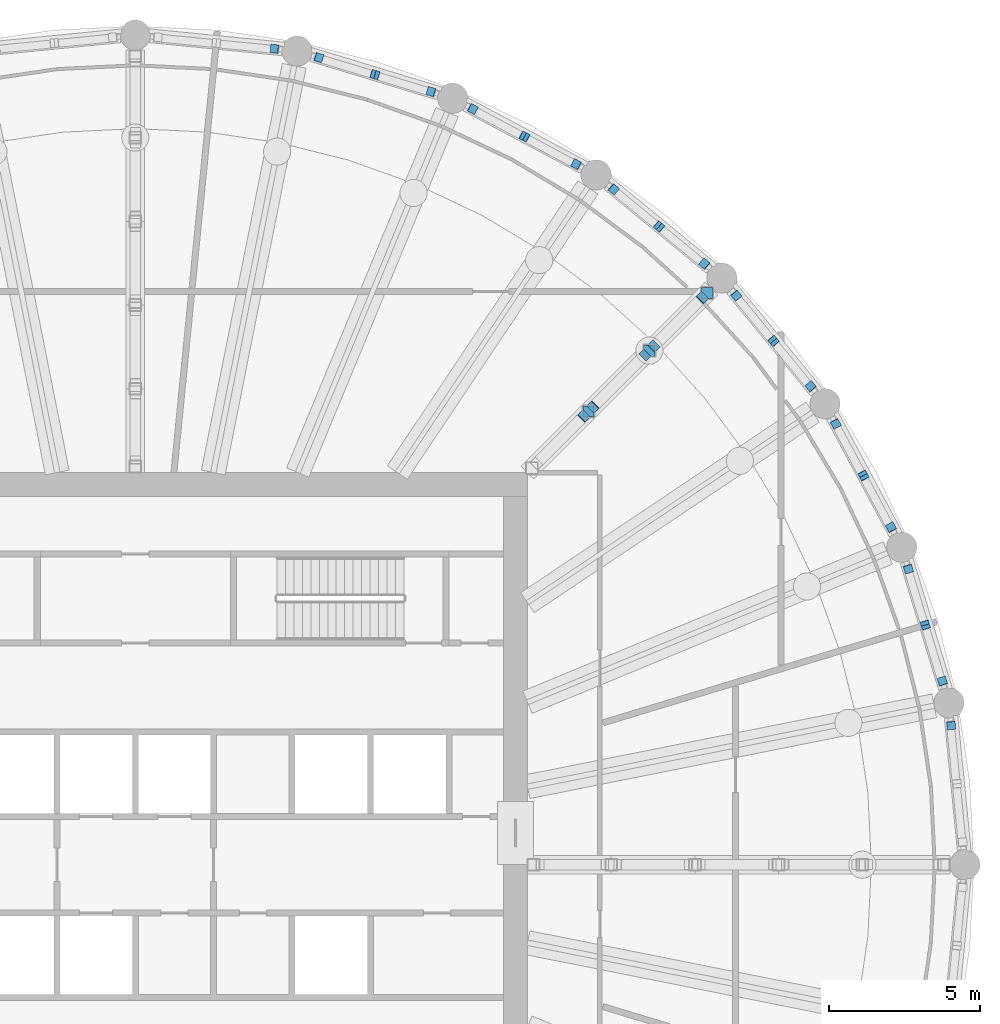
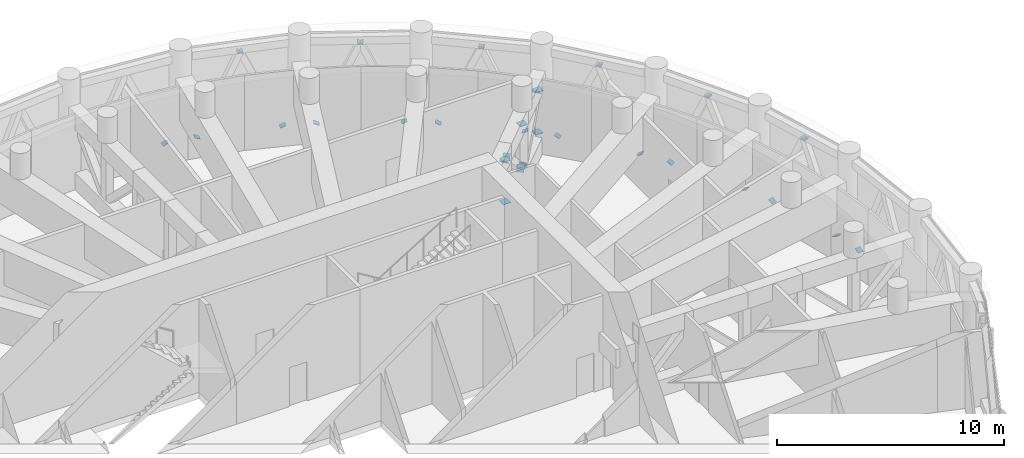
# One storey, part 16 of 24: 37 discrete accessories.
"""IFC4 building model written with IfcOpenShell, lengths in metres."""

import ifcopenshell
import ifcopenshell.guid

model = None  # the IFC model being written
_history = None  # IfcOwnerHistory: only IFC2X3 demands one
_inside = {}  # id of a spatial element -> (the spatial element, [elements in it])
_under = {}  # id of a project, library or spatial element -> (it, [spatial elements below it])
_declared = {}  # id of a project -> (the project, [libraries it declares])
_typed = {}  # id of a type object -> (the type object, [elements of that type])
_made_of = {}  # id of a material, layer set ... -> (it, [elements and type objects made of it])


def new_model(schema):
    """Start an empty IFC model of exactly this schema.

    Asked for "IFC4X3", IfcOpenShell would pick the latest addendum, in which some entities
    have other attributes; the version numbers below select the first issue.
    IFC2X3 requires an IfcOwnerHistory on every rooted entity: one is made here for all.
    """
    global model, _history
    if schema == "IFC4X3":
        model = ifcopenshell.file(schema_version=(4, 3, 0, 0))
    else:
        model = ifcopenshell.file(schema=schema)
    _inside.clear()
    _under.clear()
    _declared.clear()
    _typed.clear()
    _made_of.clear()
    _history = None
    if model.schema == "IFC2X3":
        org = make("IfcOrganization", Name="unknown")
        user = make(
            "IfcPersonAndOrganization",
            ThePerson=make("IfcPerson", FamilyName="unknown"),
            TheOrganization=org,
        )
        app = make(
            "IfcApplication",
            ApplicationDeveloper=org,
            Version="unknown",
            ApplicationFullName="unknown",
            ApplicationIdentifier="unknown",
        )
        _history = make(
            "IfcOwnerHistory",
            OwningUser=user,
            OwningApplication=app,
            ChangeAction="ADDED",
            CreationDate=0,
        )
    return model


def make(cls, **values):
    """One entity of the class cls with the attributes given. An attribute that is None is left unset."""
    return model.create_entity(
        cls, **{name: value for name, value in values.items() if value is not None}
    )


def rooted(cls, **values):
    """An entity with a GlobalId (a new one), such as an element, a storey or a relation."""
    return make(cls, GlobalId=ifcopenshell.guid.new(), OwnerHistory=_history, **values)


def si_unit(unit_type, name, prefix=None):
    """IfcSIUnit, for example si_unit("LENGTHUNIT", "METRE", prefix="MILLI")."""
    return make("IfcSIUnit", UnitType=unit_type, Prefix=prefix, Name=name)


def assignment(units):
    """IfcUnitAssignment: the units of a project."""
    return None if units is None else make("IfcUnitAssignment", Units=units)


def point(xyz):
    """IfcCartesianPoint."""
    return None if xyz is None else make("IfcCartesianPoint", Coordinates=xyz)


def direction(xyz):
    """IfcDirection."""
    return None if xyz is None else make("IfcDirection", DirectionRatios=xyz)


def frame(location, z_axis=None, x_axis=None):
    """IfcAxis2Placement3D, a coordinate frame: its origin and axes. An axis left out is left unset."""
    return make(
        "IfcAxis2Placement3D",
        Location=point(location),
        Axis=direction(z_axis),
        RefDirection=direction(x_axis),
    )


def frame_2d(location, x_axis=None):
    """IfcAxis2Placement2D, a coordinate frame in the plane: its origin and x axis."""
    return make(
        "IfcAxis2Placement2D", Location=point(location), RefDirection=direction(x_axis)
    )


def origin():
    """The frame at (0, 0, 0) with its axes left unset."""
    return frame((0.0, 0.0, 0.0))


def origin_2d():
    """The frame at (0, 0) in the plane with its x axis left unset."""
    return frame_2d((0.0, 0.0))


def place(relative_to, where):
    """IfcLocalPlacement: puts the frame where relative to a parent placement (None: the world)."""
    return make(
        "IfcLocalPlacement", PlacementRelTo=relative_to, RelativePlacement=where
    )


def context(
    kind, dimensions, precision=None, world=None, true_north=None, identifier=None
):
    """IfcGeometricRepresentationContext, for example the 3D "Model" context."""
    return make(
        "IfcGeometricRepresentationContext",
        ContextIdentifier=identifier,
        ContextType=kind,
        CoordinateSpaceDimension=dimensions,
        Precision=precision,
        WorldCoordinateSystem=world,
        TrueNorth=true_north,
    )


def subcontext(parent, identifier, kind, view, scale=None):
    """IfcGeometricRepresentationSubContext, for example "Body" below "Model"."""
    return make(
        "IfcGeometricRepresentationSubContext",
        ContextIdentifier=identifier,
        ContextType=kind,
        ParentContext=parent,
        TargetScale=scale,
        TargetView=view,
    )


def project(units=None, contexts=None):
    """IfcProject with its units and contexts."""
    return rooted(
        "IfcProject",
        Name="project",
        RepresentationContexts=contexts,
        UnitsInContext=assignment(units),
    )


def spatial(cls, under=None, at=None, **own):
    """A site, building, storey or space (cls), placed at a placement, below another one or the project."""
    s = rooted(cls, ObjectPlacement=at, **own)
    if under is not None:
        _under.setdefault(under.id(), (under, []))[1].append(s)
    return s


def profile(cls, at=None, kind="AREA", **sizes):
    """A parametric profile (cls). Its sizes go by their IFC names, for example OverallWidth=200.0."""
    return make(cls, ProfileType=kind, Position=at, **sizes)


def rectangle(**sizes):
    """IfcRectangleProfileDef."""
    return profile("IfcRectangleProfileDef", **sizes)


def extrude(swept, where, along, depth):
    """IfcExtrudedAreaSolid: the profile swept, set in the frame where, extruded along a direction by depth."""
    return make(
        "IfcExtrudedAreaSolid",
        SweptArea=swept,
        Position=where,
        ExtrudedDirection=direction(along),
        Depth=depth,
    )


def shape(context_of_items, identifier, shape_type, items):
    """IfcShapeRepresentation: the items that make up one representation, for example the "Body"."""
    return make(
        "IfcShapeRepresentation",
        ContextOfItems=context_of_items,
        RepresentationIdentifier=identifier,
        RepresentationType=shape_type,
        Items=items,
    )


def material(Name=None, Category=None):
    """IfcMaterial."""
    return make("IfcMaterial", Name=Name, Category=Category)


def material_profile(
    of_material, cross_section, Name=None, Category=None, Priority=None
):
    """IfcMaterialProfile: a cross section and its material."""
    return make(
        "IfcMaterialProfile",
        Name=Name,
        Material=of_material,
        Profile=cross_section,
        Priority=Priority,
        Category=Category,
    )


def profile_set(profiles, Name=None, composite=None):
    """IfcMaterialProfileSet."""
    return make(
        "IfcMaterialProfileSet",
        Name=Name,
        MaterialProfiles=profiles,
        CompositeProfile=composite,
    )


def made_of(thing, what):
    """Note that an element or type object is made of a material, layer set ...; save() writes the relation."""
    if what is not None:
        _made_of.setdefault(what.id(), (what, []))[1].append(thing)
    return thing


def type_object(cls, material=None, **own):
    """A type object (cls), such as IfcWallType, which elements share."""
    return made_of(rooted(cls, **own), material)


def element(
    cls,
    number,
    at=None,
    inside=None,
    cuts=None,
    type_object=None,
    material=None,
    context=None,
    identifier="Body",
    shape_type=None,
    held_by="IfcProductDefinitionShape",
    body=None,
    shapes=None,
    **own,
):
    """One element of the class cls, such as IfcWall. Its Tag is "e" and its number.

    at: its placement. inside: the storey or other place that contains it. cuts: it is an
    opening in that element (IfcRelVoidsElement). A single representation is given by context,
    identifier, shape_type and body (its items); several are given by shapes. held_by: the class
    of the entity that holds the representations. save() writes the other relations.
    """
    e = rooted(cls, Tag="e%d" % number, ObjectPlacement=at, **own)
    if body is not None:
        shapes = [shape(context, identifier, shape_type, body)]
    if shapes is not None:
        e.Representation = make(held_by, Representations=shapes)
    if inside is not None:
        _inside.setdefault(inside.id(), (inside, []))[1].append(e)
    if cuts is not None:
        rooted(
            "IfcRelVoidsElement", RelatingBuildingElement=cuts, RelatedOpeningElement=e
        )
    if type_object is not None:
        _typed.setdefault(type_object.id(), (type_object, []))[1].append(e)
    return made_of(e, material)


def aggregate(whole, parts):
    """IfcRelAggregates: a whole, such as a stair, and the parts it consists of."""
    return rooted("IfcRelAggregates", RelatingObject=whole, RelatedObjects=parts)


def save(model, path):
    """Write the relations noted so far, then the file.

    IfcRelAggregates (storeys below a building ...), IfcRelContainedInSpatialStructure (elements
    in a storey), IfcRelDefinesByType, IfcRelAssociatesMaterial and IfcRelDeclares: one each for
    every whole, place, type object, material and project.
    """
    for whole, parts in _under.values():
        aggregate(whole, parts)
    for where, things in _inside.values():
        rooted(
            "IfcRelContainedInSpatialStructure",
            RelatedElements=things,
            RelatingStructure=where,
        )
    for kind, things in _typed.values():
        rooted("IfcRelDefinesByType", RelatedObjects=things, RelatingType=kind)
    for what, things in _made_of.values():
        rooted("IfcRelAssociatesMaterial", RelatedObjects=things, RelatingMaterial=what)
    for by, libraries in _declared.values():
        rooted("IfcRelDeclares", RelatingContext=by, RelatedDefinitions=libraries)
    model.write(path)


model = new_model("IFC4")

# Units and contexts
model_context = context("Model", 3, precision=1e-05, world=origin(), true_north=direction((0.0, 1.0)))
body_context = subcontext(model_context, "Body", "Model", "MODEL_VIEW")
ifc_project = project(units=[si_unit("LENGTHUNIT", "METRE"), si_unit("AREAUNIT", "SQUARE_METRE"), si_unit("VOLUMEUNIT", "CUBIC_METRE"), si_unit("PLANEANGLEUNIT", "RADIAN"), si_unit("MASSUNIT", "GRAM", prefix="KILO")], contexts=[model_context])

# Site, building, storey
site_placement = place(None, origin())
site = spatial("IfcSite", under=ifc_project, at=site_placement, CompositionType="ELEMENT")
building_placement = place(site_placement, origin())
building = spatial("IfcBuilding", under=site, at=building_placement, Name="Corvane Civic Tower", CompositionType="ELEMENT")
storey_placement = place(building_placement, frame((0.0, 0.0, 257.5)))
storey = spatial("IfcBuildingStorey", under=building, at=storey_placement, Name="L61", CompositionType="ELEMENT", Elevation=257.5)

# Discrete accessories
ifc_material_1 = material(Name="Steel ASTM A572 Gr 50", Category="steel")
ifc_material_profile_1 = material_profile(ifc_material_1, rectangle(XDim=0.2802734375, YDim=0.2802734375, at=origin_2d()), Name="GUSSET PLATE 25 IN HSS12X12X1/2")
ifc_profile_set_1 = profile_set([ifc_material_profile_1], Name="Steel ASTM A572 Gr 50")
discrete_accessory_type_1 = type_object("IfcDiscreteAccessoryType", Name="GUSSET PLATE 25 IN HSS12X12X1/2", PredefinedType="BRACKET", material=ifc_profile_set_1)
for number, where, z_axis, x_axis, name in (
    (1, (4.61865234375, 27.045166015625, 0.406494140625), (-0.411270876454, 0.0391686549, 0.910671226434), (-0.094809092628, -0.995495472594, 0.0), "Gusset plate BD1 end A"),
    (2, (6.082763671875, 26.75390625, 0.406494140625), (0.392364338194, -0.117709301458, 0.912247086301), (0.287347885566, 0.957826285221, 0.0), "Gusset plate BD1 end A"),
):
    element("IfcDiscreteAccessory", number, at=place(storey_placement, frame(where, z_axis=z_axis, x_axis=x_axis)), inside=storey, type_object=discrete_accessory_type_1, Name=name, PredefinedType="BRACKET", context=body_context, shape_type="SweptSolid", body=[
        extrude(rectangle(XDim=0.2802734375, YDim=0.2802734375, at=origin_2d()), origin(), (0.0, 0.0, 1.0), 0.02490234375),
    ])
discrete_accessory_1_placement = place(storey_placement, frame((7.9443359375, 26.189208984375, 4.74365234375), z_axis=(-0.388881387391, 0.116664416217, -0.913871260369), x_axis=(-0.287347885566, -0.957826285221, 0.0)))
element("IfcDiscreteAccessory", 3, at=discrete_accessory_1_placement, inside=storey, type_object=discrete_accessory_type_1, Name="Gusset plate BD1 end B", PredefinedType="BRACKET", context=body_context, shape_type="SweptSolid", body=[
    extrude(rectangle(XDim=0.2802734375, YDim=0.2802734375, at=origin_2d()), origin(), (0.0, 0.0, 1.0), 0.025146484375),
])
discrete_accessory_2_placement = place(storey_placement, frame((9.805908203125, 25.62451171875, 0.406494140625), z_axis=(-0.392364338194, 0.117709301458, 0.912247086301), x_axis=(-0.287347885566, -0.957826285221, 0.0)))
element("IfcDiscreteAccessory", 4, at=discrete_accessory_2_placement, inside=storey, type_object=discrete_accessory_type_1, Name="Gusset plate BD1 end A", PredefinedType="BRACKET", context=body_context, shape_type="SweptSolid", body=[
    extrude(rectangle(XDim=0.2802734375, YDim=0.2802734375, at=origin_2d()), origin(), (0.0, 0.0, 1.0), 0.02490234375),
])
discrete_accessory_3_placement = place(storey_placement, frame((7.9443359375, 26.189208984375, 4.74365234375), z_axis=(0.388881387391, -0.116664416217, -0.913871260369), x_axis=(0.287347885566, 0.957826285221, 0.0)))
element("IfcDiscreteAccessory", 5, at=discrete_accessory_3_placement, inside=storey, type_object=discrete_accessory_type_1, Name="Gusset plate BD1 end B", PredefinedType="BRACKET", context=body_context, shape_type="SweptSolid", body=[
    extrude(rectangle(XDim=0.2802734375, YDim=0.2802734375, at=origin_2d()), origin(), (0.0, 0.0, 1.0), 0.025146484375),
])
discrete_accessory_4_placement = place(storey_placement, frame((11.18505859375, 25.05322265625, 0.406494140625), z_axis=(0.362501282592, -0.195946639239, 0.911151872461), x_axis=(0.475517034365, 0.879706513576, 0.0)))
element("IfcDiscreteAccessory", 6, at=discrete_accessory_4_placement, inside=storey, type_object=discrete_accessory_type_1, Name="Gusset plate BD1 end A", PredefinedType="BRACKET", context=body_context, shape_type="SweptSolid", body=[
    extrude(rectangle(XDim=0.2802734375, YDim=0.2802734375, at=origin_2d()), origin(), (0.0, 0.0, 1.0), 0.02490234375),
])
discrete_accessory_5_placement = place(storey_placement, frame((12.90087890625, 24.13623046875, 4.74365234375), z_axis=(-0.359953516674, 0.184840995049, -0.914476501821), x_axis=(-0.456804684993, -0.889567018144, 0.0)))
element("IfcDiscreteAccessory", 7, at=discrete_accessory_5_placement, inside=storey, type_object=discrete_accessory_type_1, Name="Gusset plate BD1 end B", PredefinedType="BRACKET", context=body_context, shape_type="SweptSolid", body=[
    extrude(rectangle(XDim=0.2802734375, YDim=0.2802734375, at=origin_2d()), origin(), (0.0, 0.0, 1.0), 0.025146484375),
])
discrete_accessory_6_placement = place(storey_placement, frame((14.61669921875, 23.218994140625, 0.406494140625), z_axis=(-0.362501282592, 0.195946639239, 0.911151872461), x_axis=(-0.475517034365, -0.879706513576, 0.0)))
element("IfcDiscreteAccessory", 8, at=discrete_accessory_6_placement, inside=storey, type_object=discrete_accessory_type_1, Name="Gusset plate BD1 end A", PredefinedType="BRACKET", context=body_context, shape_type="SweptSolid", body=[
    extrude(rectangle(XDim=0.2802734375, YDim=0.2802734375, at=origin_2d()), origin(), (0.0, 0.0, 1.0), 0.02490234375),
])
discrete_accessory_7_placement = place(storey_placement, frame((12.90087890625, 24.13623046875, 4.74365234375), z_axis=(0.35929104061, -0.194211373302, -0.912793454522), x_axis=(0.475517034365, 0.879706513576, 0.0)))
element("IfcDiscreteAccessory", 9, at=discrete_accessory_7_placement, inside=storey, type_object=discrete_accessory_type_1, Name="Gusset plate BD1 end B", PredefinedType="BRACKET", context=body_context, shape_type="SweptSolid", body=[
    extrude(rectangle(XDim=0.2802734375, YDim=0.2802734375, at=origin_2d()), origin(), (0.0, 0.0, 1.0), 0.025146484375),
])
discrete_accessory_8_placement = place(storey_placement, frame((15.85791015625, 22.3896484375, 0.406494140625), z_axis=(0.314558036205, -0.255578404416, 0.91418429272), x_axis=(0.630592625094, 0.776114000116, 0.0)))
element("IfcDiscreteAccessory", 10, at=discrete_accessory_8_placement, inside=storey, type_object=discrete_accessory_type_1, Name="Gusset plate BD1 end A", PredefinedType="BRACKET", context=body_context, shape_type="SweptSolid", body=[
    extrude(rectangle(XDim=0.2802734375, YDim=0.2802734375, at=origin_2d()), origin(), (0.0, 0.0, 1.0), 0.02490234375),
])
discrete_accessory_9_placement = place(storey_placement, frame((17.36181640625, 21.155517578125, 4.74365234375), z_axis=(-0.310972871685, 0.262383360484, -0.913482810575), x_axis=(-0.64487093921, -0.764291483508, 0.0)))
element("IfcDiscreteAccessory", 11, at=discrete_accessory_9_placement, inside=storey, type_object=discrete_accessory_type_1, Name="Gusset plate BD1 end B", PredefinedType="BRACKET", context=body_context, shape_type="SweptSolid", body=[
    extrude(rectangle(XDim=0.2802734375, YDim=0.2802734375, at=origin_2d()), origin(), (0.0, 0.0, 1.0), 0.025146484375),
])
discrete_accessory_10_placement = place(storey_placement, frame((18.86572265625, 19.92138671875, 0.406494140625), z_axis=(-0.314558036205, 0.255578404416, 0.91418429272), x_axis=(-0.630592625094, -0.776114000116, 0.0)))
element("IfcDiscreteAccessory", 12, at=discrete_accessory_10_placement, inside=storey, type_object=discrete_accessory_type_1, Name="Gusset plate BD1 end A", PredefinedType="BRACKET", context=body_context, shape_type="SweptSolid", body=[
    extrude(rectangle(XDim=0.2802734375, YDim=0.2802734375, at=origin_2d()), origin(), (0.0, 0.0, 1.0), 0.02490234375),
])
discrete_accessory_11_placement = place(storey_placement, frame((17.36181640625, 21.155517578125, 4.74365234375), z_axis=(0.310972871685, -0.262383360484, -0.913482810575), x_axis=(0.64487093921, 0.764291483508, 0.0)))
element("IfcDiscreteAccessory", 13, at=discrete_accessory_11_placement, inside=storey, type_object=discrete_accessory_type_1, Name="Gusset plate BD1 end B", PredefinedType="BRACKET", context=body_context, shape_type="SweptSolid", body=[
    extrude(rectangle(XDim=0.2802734375, YDim=0.2802734375, at=origin_2d()), origin(), (0.0, 0.0, 1.0), 0.025146484375),
])
discrete_accessory_12_placement = place(storey_placement, frame((19.92138671875, 18.86572265625, 0.406494140625), z_axis=(0.255578404416, -0.314558036205, 0.91418429272), x_axis=(0.776114000116, 0.630592625094, 0.0)))
element("IfcDiscreteAccessory", 14, at=discrete_accessory_12_placement, inside=storey, type_object=discrete_accessory_type_1, Name="Gusset plate BD1 end A", PredefinedType="BRACKET", context=body_context, shape_type="SweptSolid", body=[
    extrude(rectangle(XDim=0.2802734375, YDim=0.2802734375, at=origin_2d()), origin(), (0.0, 0.0, 1.0), 0.02490234375),
])
discrete_accessory_13_placement = place(storey_placement, frame((21.155517578125, 17.36181640625, 4.74365234375), z_axis=(-0.262383360484, 0.310972871685, -0.913482810575), x_axis=(-0.764291483508, -0.64487093921, 0.0)))
element("IfcDiscreteAccessory", 15, at=discrete_accessory_13_placement, inside=storey, type_object=discrete_accessory_type_1, Name="Gusset plate BD1 end B", PredefinedType="BRACKET", context=body_context, shape_type="SweptSolid", body=[
    extrude(rectangle(XDim=0.2802734375, YDim=0.2802734375, at=origin_2d()), origin(), (0.0, 0.0, 1.0), 0.025146484375),
])
discrete_accessory_14_placement = place(storey_placement, frame((22.3896484375, 15.85791015625, 0.406494140625), z_axis=(-0.255578404416, 0.314558036205, 0.91418429272), x_axis=(-0.776114000116, -0.630592625094, 0.0)))
element("IfcDiscreteAccessory", 16, at=discrete_accessory_14_placement, inside=storey, type_object=discrete_accessory_type_1, Name="Gusset plate BD1 end A", PredefinedType="BRACKET", context=body_context, shape_type="SweptSolid", body=[
    extrude(rectangle(XDim=0.2802734375, YDim=0.2802734375, at=origin_2d()), origin(), (0.0, 0.0, 1.0), 0.02490234375),
])
discrete_accessory_15_placement = place(storey_placement, frame((21.155517578125, 17.36181640625, 4.74365234375), z_axis=(0.262383360484, -0.310972871685, -0.913482810575), x_axis=(0.764291483508, 0.64487093921, 0.0)))
element("IfcDiscreteAccessory", 17, at=discrete_accessory_15_placement, inside=storey, type_object=discrete_accessory_type_1, Name="Gusset plate BD1 end B", PredefinedType="BRACKET", context=body_context, shape_type="SweptSolid", body=[
    extrude(rectangle(XDim=0.2802734375, YDim=0.2802734375, at=origin_2d()), origin(), (0.0, 0.0, 1.0), 0.025146484375),
])
discrete_accessory_16_placement = place(storey_placement, frame((23.218994140625, 14.61669921875, 0.406494140625), z_axis=(0.195946639239, -0.362501282592, 0.911151872461), x_axis=(0.879706513576, 0.475517034365, 0.0)))
element("IfcDiscreteAccessory", 18, at=discrete_accessory_16_placement, inside=storey, type_object=discrete_accessory_type_1, Name="Gusset plate BD1 end A", PredefinedType="BRACKET", context=body_context, shape_type="SweptSolid", body=[
    extrude(rectangle(XDim=0.2802734375, YDim=0.2802734375, at=origin_2d()), origin(), (0.0, 0.0, 1.0), 0.02490234375),
])
discrete_accessory_17_placement = place(storey_placement, frame((24.13623046875, 12.90087890625, 4.74365234375), z_axis=(-0.194211373302, 0.35929104061, -0.912793454522), x_axis=(-0.879706513576, -0.475517034365, 0.0)))
element("IfcDiscreteAccessory", 19, at=discrete_accessory_17_placement, inside=storey, type_object=discrete_accessory_type_1, Name="Gusset plate BD1 end B", PredefinedType="BRACKET", context=body_context, shape_type="SweptSolid", body=[
    extrude(rectangle(XDim=0.2802734375, YDim=0.2802734375, at=origin_2d()), origin(), (0.0, 0.0, 1.0), 0.025146484375),
])
discrete_accessory_18_placement = place(storey_placement, frame((25.05322265625, 11.18505859375, 0.406494140625), z_axis=(-0.195946639239, 0.362501282592, 0.911151872461), x_axis=(-0.879706513576, -0.475517034365, 0.0)))
element("IfcDiscreteAccessory", 20, at=discrete_accessory_18_placement, inside=storey, type_object=discrete_accessory_type_1, Name="Gusset plate BD1 end A", PredefinedType="BRACKET", context=body_context, shape_type="SweptSolid", body=[
    extrude(rectangle(XDim=0.2802734375, YDim=0.2802734375, at=origin_2d()), origin(), (0.0, 0.0, 1.0), 0.02490234375),
])
discrete_accessory_19_placement = place(storey_placement, frame((24.13623046875, 12.90087890625, 4.74365234375), z_axis=(0.184840995049, -0.359953516674, -0.914476501821), x_axis=(0.889567018144, 0.456804684993, 0.0)))
element("IfcDiscreteAccessory", 21, at=discrete_accessory_19_placement, inside=storey, type_object=discrete_accessory_type_1, Name="Gusset plate BD1 end B", PredefinedType="BRACKET", context=body_context, shape_type="SweptSolid", body=[
    extrude(rectangle(XDim=0.2802734375, YDim=0.2802734375, at=origin_2d()), origin(), (0.0, 0.0, 1.0), 0.025146484375),
])
discrete_accessory_20_placement = place(storey_placement, frame((25.62451171875, 9.805908203125, 0.406494140625), z_axis=(0.117709301458, -0.392364338194, 0.912247086301), x_axis=(0.957826285221, 0.287347885566, 0.0)))
element("IfcDiscreteAccessory", 22, at=discrete_accessory_20_placement, inside=storey, type_object=discrete_accessory_type_1, Name="Gusset plate BD1 end A", PredefinedType="BRACKET", context=body_context, shape_type="SweptSolid", body=[
    extrude(rectangle(XDim=0.2802734375, YDim=0.2802734375, at=origin_2d()), origin(), (0.0, 0.0, 1.0), 0.02490234375),
])
discrete_accessory_21_placement = place(storey_placement, frame((26.189208984375, 7.9443359375, 4.74365234375), z_axis=(-0.116664416217, 0.388881387391, -0.913871260369), x_axis=(-0.957826285221, -0.287347885566, 0.0)))
element("IfcDiscreteAccessory", 23, at=discrete_accessory_21_placement, inside=storey, type_object=discrete_accessory_type_1, Name="Gusset plate BD1 end B", PredefinedType="BRACKET", context=body_context, shape_type="SweptSolid", body=[
    extrude(rectangle(XDim=0.2802734375, YDim=0.2802734375, at=origin_2d()), origin(), (0.0, 0.0, 1.0), 0.025146484375),
])
discrete_accessory_22_placement = place(storey_placement, frame((26.75390625, 6.082763671875, 0.406494140625), z_axis=(-0.117709301458, 0.392364338194, 0.912247086301), x_axis=(-0.957826285221, -0.287347885566, 0.0)))
element("IfcDiscreteAccessory", 24, at=discrete_accessory_22_placement, inside=storey, type_object=discrete_accessory_type_1, Name="Gusset plate BD1 end A", PredefinedType="BRACKET", context=body_context, shape_type="SweptSolid", body=[
    extrude(rectangle(XDim=0.2802734375, YDim=0.2802734375, at=origin_2d()), origin(), (0.0, 0.0, 1.0), 0.02490234375),
])
discrete_accessory_23_placement = place(storey_placement, frame((26.189208984375, 7.9443359375, 4.74365234375), z_axis=(0.116664416217, -0.388881387391, -0.913871260369), x_axis=(0.957826285221, 0.287347885566, 0.0)))
element("IfcDiscreteAccessory", 25, at=discrete_accessory_23_placement, inside=storey, type_object=discrete_accessory_type_1, Name="Gusset plate BD1 end B", PredefinedType="BRACKET", context=body_context, shape_type="SweptSolid", body=[
    extrude(rectangle(XDim=0.2802734375, YDim=0.2802734375, at=origin_2d()), origin(), (0.0, 0.0, 1.0), 0.025146484375),
])
discrete_accessory_24_placement = place(storey_placement, frame((27.045166015625, 4.61865234375, 0.406494140625), z_axis=(0.0391686549, -0.411270876454, 0.910671226434), x_axis=(0.995495472594, 0.094809092628, 0.0)))
element("IfcDiscreteAccessory", 26, at=discrete_accessory_24_placement, inside=storey, type_object=discrete_accessory_type_1, Name="Gusset plate BD1 end A", PredefinedType="BRACKET", context=body_context, shape_type="SweptSolid", body=[
    extrude(rectangle(XDim=0.2802734375, YDim=0.2802734375, at=origin_2d()), origin(), (0.0, 0.0, 1.0), 0.02490234375),
])
ifc_material_2 = material(Name="Steel ASTM A572 Gr 50", Category="steel")
ifc_material_profile_2 = material_profile(ifc_material_2, rectangle(XDim=0.3310546875, YDim=0.3310546875, at=origin_2d()), Name="GUSSET PLATE 25 IN HSS14X14X1/2")
ifc_profile_set_2 = profile_set([ifc_material_profile_2], Name="Steel ASTM A572 Gr 50")
discrete_accessory_type_2 = type_object("IfcDiscreteAccessoryType", Name="GUSSET PLATE 25 IN HSS14X14X1/2", PredefinedType="BRACKET", material=ifc_profile_set_2)
for number, where, z_axis, x_axis, name in (
    (27, (14.876953125, 14.876953125, 3.199951171875), (-0.496975946736, -0.496975946736, -0.711357727681), (0.707106781187, -0.707106781187, 0.0), "Gusset plate OD1 end B"),
    (28, (15.164306640625, 15.164306640625, 3.199951171875), (0.516784270393, 0.516784270393, -0.682545262784), (-0.707106781187, 0.707106781187, 0.0), "Gusset plate OD1 end A"),
    (29, (16.897705078125, 16.897705078125, 0.89990234375), (-0.516784270393, -0.516784270393, 0.682545262784), (0.707106781187, -0.707106781187, 0.0), "Gusset plate OD1 end B"),
    (30, (17.18505859375, 17.18505859375, 0.89990234375), (0.496975946736, 0.496975946736, 0.711357727681), (-0.707106781187, 0.707106781187, 0.0), "Gusset plate OD1 end A"),
):
    element("IfcDiscreteAccessory", number, at=place(storey_placement, frame(where, z_axis=z_axis, x_axis=x_axis)), inside=storey, type_object=discrete_accessory_type_2, Name=name, PredefinedType="BRACKET", context=body_context, shape_type="SweptSolid", body=[
        extrude(rectangle(XDim=0.3310546875, YDim=0.3310546875, at=origin_2d()), origin(), (0.0, 0.0, 1.0), 0.025146484375),
    ])
discrete_accessory_25_placement = place(storey_placement, frame((18.804443359375, 18.804443359375, 3.199951171875), z_axis=(-0.500433087998, -0.500433087998, -0.706493771291), x_axis=(0.707106781187, -0.707106781187, 0.0)))
element("IfcDiscreteAccessory", 31, at=discrete_accessory_25_placement, inside=storey, type_object=discrete_accessory_type_2, Name="Gusset plate OD1 end B", PredefinedType="BRACKET", context=body_context, shape_type="SweptSolid", body=[
    extrude(rectangle(XDim=0.3310546875, YDim=0.3310546875, at=origin_2d()), origin(), (0.0, 0.0, 1.0), 0.02490234375),
])
ifc_material_3 = material(Name="Steel ASTM A572 Gr 50", Category="steel")
ifc_material_profile_3 = material_profile(ifc_material_3, rectangle(XDim=0.3759765625, YDim=0.3759765625, at=origin_2d()), Name="GUSSET PLATE 25 IN HSS16X16X5/8")
ifc_profile_set_3 = profile_set([ifc_material_profile_3], Name="Steel ASTM A572 Gr 50")
discrete_accessory_type_3 = type_object("IfcDiscreteAccessoryType", Name="GUSSET PLATE 25 IN HSS16X16X5/8", PredefinedType="BRACKET", material=ifc_profile_set_3)
discrete_accessory_26_placement = place(storey_placement, frame((15.020751953125, 15.020751953125, 0.89990234375), z_axis=(0.0, 0.0, 1.0), x_axis=(1.0, 0.0, 0.0)))
element("IfcDiscreteAccessory", 32, at=discrete_accessory_26_placement, inside=storey, type_object=discrete_accessory_type_3, Name="Gusset plate OP1 end A", PredefinedType="BRACKET", context=body_context, shape_type="SweptSolid", body=[
    extrude(rectangle(XDim=0.3759765625, YDim=0.3759765625, at=origin_2d()), origin(), (0.0, 0.0, 1.0), 0.025146484375),
])
discrete_accessory_27_placement = place(storey_placement, frame((15.020751953125, 15.020751953125, 3.199951171875), z_axis=(0.0, 0.0, -1.0), x_axis=(1.0, 0.0, 0.0)))
element("IfcDiscreteAccessory", 33, at=discrete_accessory_27_placement, inside=storey, type_object=discrete_accessory_type_3, Name="Gusset plate OP1 end B", PredefinedType="BRACKET", context=body_context, shape_type="SweptSolid", body=[
    extrude(rectangle(XDim=0.3759765625, YDim=0.3759765625, at=origin_2d()), origin(), (0.0, 0.0, 1.0), 0.02490234375),
])
discrete_accessory_28_placement = place(storey_placement, frame((17.041259765625, 17.041259765625, 0.89990234375), z_axis=(0.0, 0.0, 1.0), x_axis=(1.0, 0.0, 0.0)))
element("IfcDiscreteAccessory", 34, at=discrete_accessory_28_placement, inside=storey, type_object=discrete_accessory_type_3, Name="Gusset plate OP1 end A", PredefinedType="BRACKET", context=body_context, shape_type="SweptSolid", body=[
    extrude(rectangle(XDim=0.3759765625, YDim=0.3759765625, at=origin_2d()), origin(), (0.0, 0.0, 1.0), 0.025146484375),
])
discrete_accessory_29_placement = place(storey_placement, frame((17.041259765625, 17.041259765625, 3.199951171875), z_axis=(0.0, 0.0, -1.0), x_axis=(1.0, 0.0, 0.0)))
element("IfcDiscreteAccessory", 35, at=discrete_accessory_29_placement, inside=storey, type_object=discrete_accessory_type_3, Name="Gusset plate OP1 end B", PredefinedType="BRACKET", context=body_context, shape_type="SweptSolid", body=[
    extrude(rectangle(XDim=0.3759765625, YDim=0.3759765625, at=origin_2d()), origin(), (0.0, 0.0, 1.0), 0.02490234375),
])
discrete_accessory_30_placement = place(storey_placement, frame((18.9482421875, 18.9482421875, 0.89990234375), z_axis=(0.0, 0.0, 1.0), x_axis=(1.0, 0.0, 0.0)))
element("IfcDiscreteAccessory", 36, at=discrete_accessory_30_placement, inside=storey, type_object=discrete_accessory_type_3, Name="Gusset plate OP1 end A", PredefinedType="BRACKET", context=body_context, shape_type="SweptSolid", body=[
    extrude(rectangle(XDim=0.3759765625, YDim=0.3759765625, at=origin_2d()), origin(), (0.0, 0.0, 1.0), 0.025146484375),
])
discrete_accessory_31_placement = place(storey_placement, frame((18.9482421875, 18.9482421875, 3.199951171875), z_axis=(0.0, 0.0, -1.0), x_axis=(1.0, 0.0, 0.0)))
element("IfcDiscreteAccessory", 37, at=discrete_accessory_31_placement, inside=storey, type_object=discrete_accessory_type_3, Name="Gusset plate OP1 end B", PredefinedType="BRACKET", context=body_context, shape_type="SweptSolid", body=[
    extrude(rectangle(XDim=0.3759765625, YDim=0.3759765625, at=origin_2d()), origin(), (0.0, 0.0, 1.0), 0.02490234375),
])

save(model, "model.ifc")
